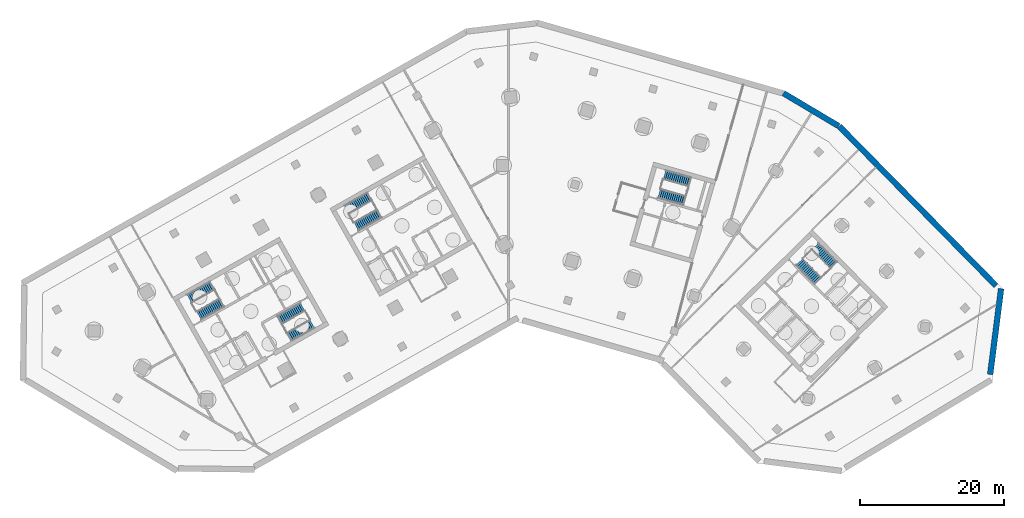
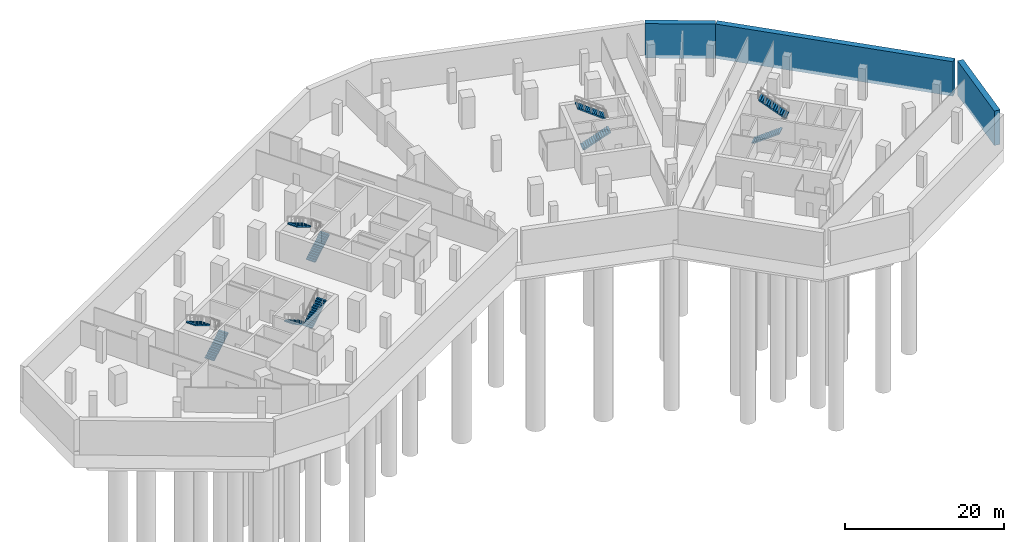
# One storey, part 8 of 11: 10 stair flights, 3 walls, 5 elements without a shape of their own.
"""IFC4 building model written with IfcOpenShell, lengths in metres."""

from ifc_helpers import new_model, si_unit, direction, frame, frame_2d, origin, place, context, subcontext, project, spatial, polyline, rectangle, outline, extrude, material, layer, layer_set, type_object, element, aggregate, save


model = new_model("IFC4")

# Units and contexts
model_context = context("Model", 3, precision=1e-05, world=origin(), true_north=direction((0.0, 1.0)))
body_context = subcontext(model_context, "Body", "Model", "MODEL_VIEW")
ifc_project = project(units=[si_unit("LENGTHUNIT", "METRE"), si_unit("AREAUNIT", "SQUARE_METRE"), si_unit("VOLUMEUNIT", "CUBIC_METRE"), si_unit("PLANEANGLEUNIT", "RADIAN"), si_unit("MASSUNIT", "GRAM", prefix="KILO")], contexts=[model_context])

# Site, building, storey
site_placement = place(None, origin())
site = spatial("IfcSite", under=ifc_project, at=site_placement, CompositionType="ELEMENT")
building_placement = place(site_placement, origin())
building = spatial("IfcBuilding", under=site, at=building_placement, Name="Binnacle Exchange Tower", CompositionType="ELEMENT")
storey_placement = place(building_placement, frame((0.0, 0.0, -9.60009765625)))
storey = spatial("IfcBuildingStorey", under=building, at=storey_placement, Name="B2", CompositionType="ELEMENT", Elevation=-9.60009765625)

# Walls
ifc_material_1 = material(Name="Concrete C40/50", Category="concrete")
ifc_layer = layer(ifc_material_1, 0.800048828125)
ifc_layer_set = layer_set([ifc_layer], Name="Basement retaining wall 800 Concrete C40/50")
wall_type = type_object("IfcWallType", Name="Basement retaining wall 800 Concrete C40/50", PredefinedType="SOLIDWALL", material=ifc_layer_set)
wall_1_placement = place(storey_placement, frame((45.810791015625, 65.474365234375, -0.5), z_axis=(0.0, 0.0, 1.0), x_axis=(-0.859404871468, 0.511295674632, 0.0)))
element("IfcWall", 1, at=wall_1_placement, inside=storey, type_object=wall_type, Name="S:RW:B2:01", PredefinedType="SOLIDWALL", context=body_context, shape_type="SweptSolid", body=[
    extrude(rectangle(XDim=8.895751953125, YDim=0.800048828125, at=frame_2d((4.44775390625, 0.0))), origin(), (0.0, 0.0, 1.0), 5.300048828125),
])
wall_2_placement = place(storey_placement, frame((66.8408203125, 30.999267578125, -0.5), z_axis=(0.0, 0.0, 1.0), x_axis=(0.126187671594, 0.992006386843, 0.0)))
element("IfcWall", 2, at=wall_2_placement, inside=storey, type_object=wall_type, Name="S:RW:B2:13", PredefinedType="SOLIDWALL", context=body_context, shape_type="SweptSolid", body=[
    extrude(rectangle(XDim=12.001220703125, YDim=0.800048828125, at=frame_2d((6.00048828125, 0.0))), origin(), (0.0, 0.0, 1.0), 5.300048828125),
])
wall_3_placement = place(storey_placement, frame((67.65478515625, 43.309326171875, -0.5), z_axis=(0.0, 0.0, 1.0), x_axis=(-0.700910545602, 0.713249190019, 0.0)))
element("IfcWall", 3, at=wall_3_placement, inside=storey, type_object=wall_type, Name="S:RW:B2:14", PredefinedType="SOLIDWALL", context=body_context, shape_type="SweptSolid", body=[
    extrude(rectangle(XDim=31.025390625, YDim=0.800048828125, at=frame_2d((15.5126953125, 0.0))), origin(), (0.0, 0.0, 1.0), 5.300048828125),
])

# Stair, stair flights
ifc_material_2 = material(Name="Concrete C35/45", Category="concrete")
stair_type = type_object("IfcStairType", Name="STAIR 28 RISERS 171", PredefinedType="HALF_TURN_STAIR", material=ifc_material_2)
stair_1_placement = place(storey_placement, origin())
stair_1 = element("IfcStair", 4, at=stair_1_placement, inside=storey, type_object=stair_type, Name="B2 Escape stair A1", PredefinedType="HALF_TURN_STAIR")
stair_flight_type = type_object("IfcStairFlightType", Name="STAIR FLIGHT 171X280", PredefinedType="STRAIGHT", material=ifc_material_2)
stair_flight_1_placement = place(storey_placement, frame((-42.9541015625, 39.17333984375, 0.0), z_axis=(0.0, 0.0, 1.0), x_axis=(0.870355584213, 0.492423757581, 0.0)))
stair_flight_1 = element("IfcStairFlight", 5, at=stair_flight_1_placement, type_object=stair_flight_type, Name="STA1 flight 1", NumberOfRisers=14, NumberOfTreads=13, PredefinedType="STRAIGHT", RiserHeight=0.171428571, TreadLength=0.28, context=body_context, shape_type="SweptSolid", body=[
    extrude(outline(polyline([(0.0, 0.0), (0.0, 0.17138671875), (0.280029296875, 0.17138671875), (0.280029296875, 0.3427734375), (0.56005859375, 0.3427734375), (0.56005859375, 0.514404296875), (0.840087890625, 0.514404296875), (0.840087890625, 0.685791015625), (1.1201171875, 0.685791015625), (1.1201171875, 0.857177734375), (1.39990234375, 0.857177734375), (1.39990234375, 1.028564453125), (1.679931640625, 1.028564453125), (1.679931640625, 1.199951171875), (1.9599609375, 1.199951171875), (1.9599609375, 1.371337890625), (2.239990234375, 1.371337890625), (2.239990234375, 1.54296875), (2.52001953125, 1.54296875), (2.52001953125, 1.71435546875), (2.800048828125, 1.71435546875), (2.800048828125, 1.8857421875), (3.080078125, 1.8857421875), (3.080078125, 2.05712890625), (3.360107421875, 2.05712890625), (3.360107421875, 2.228515625), (3.639892578125, 2.228515625), (3.639892578125, 2.39990234375), (3.639892578125, 2.052734375), (0.287109375, 0.0), (0.0, 0.0)])), frame((0.0, 0.675048828125, 0.0), z_axis=(0.0, -1.0, 0.0), x_axis=(1.0, 0.0, 0.0)), (0.0, 0.0, 1.0), 1.35009765625),
])
stair_flight_2_placement = place(storey_placement, frame((-41.115478515625, 43.315673828125, 2.400146484375), z_axis=(0.0, 0.0, 1.0), x_axis=(-0.870355584213, -0.492423757581, 0.0)))
stair_flight_2 = element("IfcStairFlight", 6, at=stair_flight_2_placement, type_object=stair_flight_type, Name="STA1 flight 2", NumberOfRisers=14, NumberOfTreads=13, PredefinedType="STRAIGHT", RiserHeight=0.171428571, TreadLength=0.28, context=body_context, shape_type="SweptSolid", body=[
    extrude(outline(polyline([(0.0, 0.0), (0.0, 0.17138671875), (0.280029296875, 0.17138671875), (0.280029296875, 0.3427734375), (0.56005859375, 0.3427734375), (0.56005859375, 0.514404296875), (0.840087890625, 0.514404296875), (0.840087890625, 0.685791015625), (1.1201171875, 0.685791015625), (1.1201171875, 0.857177734375), (1.39990234375, 0.857177734375), (1.39990234375, 1.028564453125), (1.679931640625, 1.028564453125), (1.679931640625, 1.199951171875), (1.9599609375, 1.199951171875), (1.9599609375, 1.371337890625), (2.239990234375, 1.371337890625), (2.239990234375, 1.54296875), (2.52001953125, 1.54296875), (2.52001953125, 1.71435546875), (2.800048828125, 1.71435546875), (2.800048828125, 1.8857421875), (3.080078125, 1.8857421875), (3.080078125, 2.05712890625), (3.360107421875, 2.05712890625), (3.360107421875, 2.228515625), (3.639892578125, 2.228515625), (3.639892578125, 2.39990234375), (3.639892578125, 2.052734375), (0.287109375, 0.0), (0.0, 0.0)])), frame((0.0, 0.675048828125, 0.0), z_axis=(0.0, -1.0, 0.0), x_axis=(1.0, 0.0, 0.0)), (0.0, 0.0, 1.0), 1.35009765625),
])
aggregate(stair_1, [stair_flight_1, stair_flight_2])

stair_2_placement = place(storey_placement, origin())
stair_2 = element("IfcStair", 7, at=stair_2_placement, inside=storey, type_object=stair_type, Name="B2 Escape stair A2", PredefinedType="HALF_TURN_STAIR")
stair_flight_3_placement = place(storey_placement, frame((-28.5732421875, 40.3583984375, 0.0), z_axis=(0.0, 0.0, 1.0), x_axis=(-0.870355584213, -0.492423757581, 0.0)))
stair_flight_3 = element("IfcStairFlight", 8, at=stair_flight_3_placement, type_object=stair_flight_type, Name="STA2 flight 1", NumberOfRisers=14, NumberOfTreads=13, PredefinedType="STRAIGHT", RiserHeight=0.171428571, TreadLength=0.28, context=body_context, shape_type="SweptSolid", body=[
    extrude(outline(polyline([(0.0, 0.0), (0.0, 0.17138671875), (0.280029296875, 0.17138671875), (0.280029296875, 0.3427734375), (0.56005859375, 0.3427734375), (0.56005859375, 0.514404296875), (0.840087890625, 0.514404296875), (0.840087890625, 0.685791015625), (1.1201171875, 0.685791015625), (1.1201171875, 0.857177734375), (1.39990234375, 0.857177734375), (1.39990234375, 1.028564453125), (1.679931640625, 1.028564453125), (1.679931640625, 1.199951171875), (1.9599609375, 1.199951171875), (1.9599609375, 1.371337890625), (2.239990234375, 1.371337890625), (2.239990234375, 1.54296875), (2.52001953125, 1.54296875), (2.52001953125, 1.71435546875), (2.800048828125, 1.71435546875), (2.800048828125, 1.8857421875), (3.080078125, 1.8857421875), (3.080078125, 2.05712890625), (3.360107421875, 2.05712890625), (3.360107421875, 2.228515625), (3.639892578125, 2.228515625), (3.639892578125, 2.39990234375), (3.639892578125, 2.052734375), (0.287109375, 0.0), (0.0, 0.0)])), frame((0.0, 0.675048828125, 0.0), z_axis=(0.0, -1.0, 0.0), x_axis=(1.0, 0.0, 0.0)), (0.0, 0.0, 1.0), 1.35009765625),
])
stair_flight_4_placement = place(storey_placement, frame((-30.411865234375, 36.216064453125, 2.400146484375), z_axis=(0.0, 0.0, 1.0), x_axis=(0.870355584213, 0.492423757581, 0.0)))
stair_flight_4 = element("IfcStairFlight", 9, at=stair_flight_4_placement, type_object=stair_flight_type, Name="STA2 flight 2", NumberOfRisers=14, NumberOfTreads=13, PredefinedType="STRAIGHT", RiserHeight=0.171428571, TreadLength=0.28, context=body_context, shape_type="SweptSolid", body=[
    extrude(outline(polyline([(0.0, 0.0), (0.0, 0.17138671875), (0.280029296875, 0.17138671875), (0.280029296875, 0.3427734375), (0.56005859375, 0.3427734375), (0.56005859375, 0.514404296875), (0.840087890625, 0.514404296875), (0.840087890625, 0.685791015625), (1.1201171875, 0.685791015625), (1.1201171875, 0.857177734375), (1.39990234375, 0.857177734375), (1.39990234375, 1.028564453125), (1.679931640625, 1.028564453125), (1.679931640625, 1.199951171875), (1.9599609375, 1.199951171875), (1.9599609375, 1.371337890625), (2.239990234375, 1.371337890625), (2.239990234375, 1.54296875), (2.52001953125, 1.54296875), (2.52001953125, 1.71435546875), (2.800048828125, 1.71435546875), (2.800048828125, 1.8857421875), (3.080078125, 1.8857421875), (3.080078125, 2.05712890625), (3.360107421875, 2.05712890625), (3.360107421875, 2.228515625), (3.639892578125, 2.228515625), (3.639892578125, 2.39990234375), (3.639892578125, 2.052734375), (0.287109375, 0.0), (0.0, 0.0)])), frame((0.0, 0.675048828125, 0.0), z_axis=(0.0, -1.0, 0.0), x_axis=(1.0, 0.0, 0.0)), (0.0, 0.0, 1.0), 1.35009765625),
])
aggregate(stair_2, [stair_flight_3, stair_flight_4])

stair_3_placement = place(storey_placement, origin())
stair_3 = element("IfcStair", 10, at=stair_3_placement, inside=storey, type_object=stair_type, Name="B2 Escape stair B1", PredefinedType="HALF_TURN_STAIR")
stair_flight_5_placement = place(storey_placement, frame((40.376708984375, 46.608642578125, 0.0), z_axis=(0.0, 0.0, 1.0), x_axis=(0.70090935144, -0.713250363522, 0.0)))
stair_flight_5 = element("IfcStairFlight", 11, at=stair_flight_5_placement, type_object=stair_flight_type, Name="STB1 flight 1", NumberOfRisers=14, NumberOfTreads=13, PredefinedType="STRAIGHT", RiserHeight=0.171428571, TreadLength=0.28, context=body_context, shape_type="SweptSolid", body=[
    extrude(outline(polyline([(0.0, 0.0), (0.0, 0.17138671875), (0.280029296875, 0.17138671875), (0.280029296875, 0.3427734375), (0.56005859375, 0.3427734375), (0.56005859375, 0.514404296875), (0.840087890625, 0.514404296875), (0.840087890625, 0.685791015625), (1.1201171875, 0.685791015625), (1.1201171875, 0.857177734375), (1.39990234375, 0.857177734375), (1.39990234375, 1.028564453125), (1.679931640625, 1.028564453125), (1.679931640625, 1.199951171875), (1.9599609375, 1.199951171875), (1.9599609375, 1.371337890625), (2.239990234375, 1.371337890625), (2.239990234375, 1.54296875), (2.52001953125, 1.54296875), (2.52001953125, 1.71435546875), (2.800048828125, 1.71435546875), (2.800048828125, 1.8857421875), (3.080078125, 1.8857421875), (3.080078125, 2.05712890625), (3.360107421875, 2.05712890625), (3.360107421875, 2.228515625), (3.639892578125, 2.228515625), (3.639892578125, 2.39990234375), (3.639892578125, 2.052734375), (0.287109375, 0.0), (0.0, 0.0)])), frame((0.0, 0.675048828125, 0.0), z_axis=(0.0, -1.0, 0.0), x_axis=(1.0, 0.0, 0.0)), (0.0, 0.0, 1.0), 1.35009765625),
])
stair_flight_6_placement = place(storey_placement, frame((45.13916015625, 46.185302734375, 2.400146484375), z_axis=(0.0, 0.0, 1.0), x_axis=(-0.70090935144, 0.713250363522, 0.0)))
stair_flight_6 = element("IfcStairFlight", 12, at=stair_flight_6_placement, type_object=stair_flight_type, Name="STB1 flight 2", NumberOfRisers=14, NumberOfTreads=13, PredefinedType="STRAIGHT", RiserHeight=0.171428571, TreadLength=0.28, context=body_context, shape_type="SweptSolid", body=[
    extrude(outline(polyline([(0.0, 0.0), (0.0, 0.17138671875), (0.280029296875, 0.17138671875), (0.280029296875, 0.3427734375), (0.56005859375, 0.3427734375), (0.56005859375, 0.514404296875), (0.840087890625, 0.514404296875), (0.840087890625, 0.685791015625), (1.1201171875, 0.685791015625), (1.1201171875, 0.857177734375), (1.39990234375, 0.857177734375), (1.39990234375, 1.028564453125), (1.679931640625, 1.028564453125), (1.679931640625, 1.199951171875), (1.9599609375, 1.199951171875), (1.9599609375, 1.371337890625), (2.239990234375, 1.371337890625), (2.239990234375, 1.54296875), (2.52001953125, 1.54296875), (2.52001953125, 1.71435546875), (2.800048828125, 1.71435546875), (2.800048828125, 1.8857421875), (3.080078125, 1.8857421875), (3.080078125, 2.05712890625), (3.360107421875, 2.05712890625), (3.360107421875, 2.228515625), (3.639892578125, 2.228515625), (3.639892578125, 2.39990234375), (3.639892578125, 2.052734375), (0.287109375, 0.0), (0.0, 0.0)])), frame((0.0, 0.675048828125, 0.0), z_axis=(0.0, -1.0, 0.0), x_axis=(1.0, 0.0, 0.0)), (0.0, 0.0, 1.0), 1.35009765625),
])
aggregate(stair_3, [stair_flight_5, stair_flight_6])

stair_4_placement = place(storey_placement, origin())
stair_4 = element("IfcStair", 13, at=stair_4_placement, inside=storey, type_object=stair_type, Name="B2 Escape stair C1", PredefinedType="HALF_TURN_STAIR")
stair_flight_7_placement = place(storey_placement, frame((-21.115966796875, 51.528564453125, 0.0), z_axis=(0.0, 0.0, 1.0), x_axis=(0.870355584213, 0.492423757581, 0.0)))
stair_flight_7 = element("IfcStairFlight", 14, at=stair_flight_7_placement, type_object=stair_flight_type, Name="STC1 flight 1", NumberOfRisers=14, NumberOfTreads=13, PredefinedType="STRAIGHT", RiserHeight=0.171428571, TreadLength=0.28, context=body_context, shape_type="SweptSolid", body=[
    extrude(outline(polyline([(0.0, 0.0), (0.0, 0.17138671875), (0.280029296875, 0.17138671875), (0.280029296875, 0.3427734375), (0.56005859375, 0.3427734375), (0.56005859375, 0.514404296875), (0.840087890625, 0.514404296875), (0.840087890625, 0.685791015625), (1.1201171875, 0.685791015625), (1.1201171875, 0.857177734375), (1.39990234375, 0.857177734375), (1.39990234375, 1.028564453125), (1.679931640625, 1.028564453125), (1.679931640625, 1.199951171875), (1.9599609375, 1.199951171875), (1.9599609375, 1.371337890625), (2.239990234375, 1.371337890625), (2.239990234375, 1.54296875), (2.52001953125, 1.54296875), (2.52001953125, 1.71435546875), (2.800048828125, 1.71435546875), (2.800048828125, 1.8857421875), (3.080078125, 1.8857421875), (3.080078125, 2.05712890625), (3.360107421875, 2.05712890625), (3.360107421875, 2.228515625), (3.639892578125, 2.228515625), (3.639892578125, 2.39990234375), (3.639892578125, 2.052734375), (0.287109375, 0.0), (0.0, 0.0)])), frame((0.0, 0.675048828125, 0.0), z_axis=(0.0, -1.0, 0.0), x_axis=(1.0, 0.0, 0.0)), (0.0, 0.0, 1.0), 1.35009765625),
])
stair_flight_8_placement = place(storey_placement, frame((-19.27734375, 55.671142578125, 2.400146484375), z_axis=(0.0, 0.0, 1.0), x_axis=(-0.870355584213, -0.492423757581, 0.0)))
stair_flight_8 = element("IfcStairFlight", 15, at=stair_flight_8_placement, type_object=stair_flight_type, Name="STC1 flight 2", NumberOfRisers=14, NumberOfTreads=13, PredefinedType="STRAIGHT", RiserHeight=0.171428571, TreadLength=0.28, context=body_context, shape_type="SweptSolid", body=[
    extrude(outline(polyline([(0.0, 0.0), (0.0, 0.17138671875), (0.280029296875, 0.17138671875), (0.280029296875, 0.3427734375), (0.56005859375, 0.3427734375), (0.56005859375, 0.514404296875), (0.840087890625, 0.514404296875), (0.840087890625, 0.685791015625), (1.1201171875, 0.685791015625), (1.1201171875, 0.857177734375), (1.39990234375, 0.857177734375), (1.39990234375, 1.028564453125), (1.679931640625, 1.028564453125), (1.679931640625, 1.199951171875), (1.9599609375, 1.199951171875), (1.9599609375, 1.371337890625), (2.239990234375, 1.371337890625), (2.239990234375, 1.54296875), (2.52001953125, 1.54296875), (2.52001953125, 1.71435546875), (2.800048828125, 1.71435546875), (2.800048828125, 1.8857421875), (3.080078125, 1.8857421875), (3.080078125, 2.05712890625), (3.360107421875, 2.05712890625), (3.360107421875, 2.228515625), (3.639892578125, 2.228515625), (3.639892578125, 2.39990234375), (3.639892578125, 2.052734375), (0.287109375, 0.0), (0.0, 0.0)])), frame((0.0, 0.675048828125, 0.0), z_axis=(0.0, -1.0, 0.0), x_axis=(1.0, 0.0, 0.0)), (0.0, 0.0, 1.0), 1.35009765625),
])
aggregate(stair_4, [stair_flight_7, stair_flight_8])

stair_5_placement = place(storey_placement, origin())
stair_5 = element("IfcStair", 16, at=stair_5_placement, inside=storey, type_object=stair_type, Name="B2 Escape stair D1", PredefinedType="HALF_TURN_STAIR")
stair_flight_9_placement = place(storey_placement, frame((20.914306640625, 56.109619140625, 0.0), z_axis=(0.0, 0.0, 1.0), x_axis=(0.961261811397, -0.275636953165, 0.0)))
stair_flight_9 = element("IfcStairFlight", 17, at=stair_flight_9_placement, type_object=stair_flight_type, Name="STD1 flight 1", NumberOfRisers=14, NumberOfTreads=13, PredefinedType="STRAIGHT", RiserHeight=0.171428571, TreadLength=0.28, context=body_context, shape_type="SweptSolid", body=[
    extrude(outline(polyline([(0.0, 0.0), (0.0, 0.17138671875), (0.280029296875, 0.17138671875), (0.280029296875, 0.3427734375), (0.56005859375, 0.3427734375), (0.56005859375, 0.514404296875), (0.840087890625, 0.514404296875), (0.840087890625, 0.685791015625), (1.1201171875, 0.685791015625), (1.1201171875, 0.857177734375), (1.39990234375, 0.857177734375), (1.39990234375, 1.028564453125), (1.679931640625, 1.028564453125), (1.679931640625, 1.199951171875), (1.9599609375, 1.199951171875), (1.9599609375, 1.371337890625), (2.239990234375, 1.371337890625), (2.239990234375, 1.54296875), (2.52001953125, 1.54296875), (2.52001953125, 1.71435546875), (2.800048828125, 1.71435546875), (2.800048828125, 1.8857421875), (3.080078125, 1.8857421875), (3.080078125, 2.05712890625), (3.360107421875, 2.05712890625), (3.360107421875, 2.228515625), (3.639892578125, 2.228515625), (3.639892578125, 2.39990234375), (3.639892578125, 2.052734375), (0.287109375, 0.0), (0.0, 0.0)])), frame((0.0, 0.675048828125, 0.0), z_axis=(0.0, -1.0, 0.0), x_axis=(1.0, 0.0, 0.0)), (0.0, 0.0, 1.0), 1.35009765625),
])
stair_flight_10_placement = place(storey_placement, frame((25.157470703125, 57.70166015625, 2.400146484375), z_axis=(0.0, 0.0, 1.0), x_axis=(-0.961261811397, 0.275636953165, 0.0)))
stair_flight_10 = element("IfcStairFlight", 18, at=stair_flight_10_placement, type_object=stair_flight_type, Name="STD1 flight 2", NumberOfRisers=14, NumberOfTreads=13, PredefinedType="STRAIGHT", RiserHeight=0.171428571, TreadLength=0.28, context=body_context, shape_type="SweptSolid", body=[
    extrude(outline(polyline([(0.0, 0.0), (0.0, 0.17138671875), (0.280029296875, 0.17138671875), (0.280029296875, 0.3427734375), (0.56005859375, 0.3427734375), (0.56005859375, 0.514404296875), (0.840087890625, 0.514404296875), (0.840087890625, 0.685791015625), (1.1201171875, 0.685791015625), (1.1201171875, 0.857177734375), (1.39990234375, 0.857177734375), (1.39990234375, 1.028564453125), (1.679931640625, 1.028564453125), (1.679931640625, 1.199951171875), (1.9599609375, 1.199951171875), (1.9599609375, 1.371337890625), (2.239990234375, 1.371337890625), (2.239990234375, 1.54296875), (2.52001953125, 1.54296875), (2.52001953125, 1.71435546875), (2.800048828125, 1.71435546875), (2.800048828125, 1.8857421875), (3.080078125, 1.8857421875), (3.080078125, 2.05712890625), (3.360107421875, 2.05712890625), (3.360107421875, 2.228515625), (3.639892578125, 2.228515625), (3.639892578125, 2.39990234375), (3.639892578125, 2.052734375), (0.287109375, 0.0), (0.0, 0.0)])), frame((0.0, 0.675048828125, 0.0), z_axis=(0.0, -1.0, 0.0), x_axis=(1.0, 0.0, 0.0)), (0.0, 0.0, 1.0), 1.35009765625),
])
aggregate(stair_5, [stair_flight_9, stair_flight_10])

save(model, "model.ifc")
